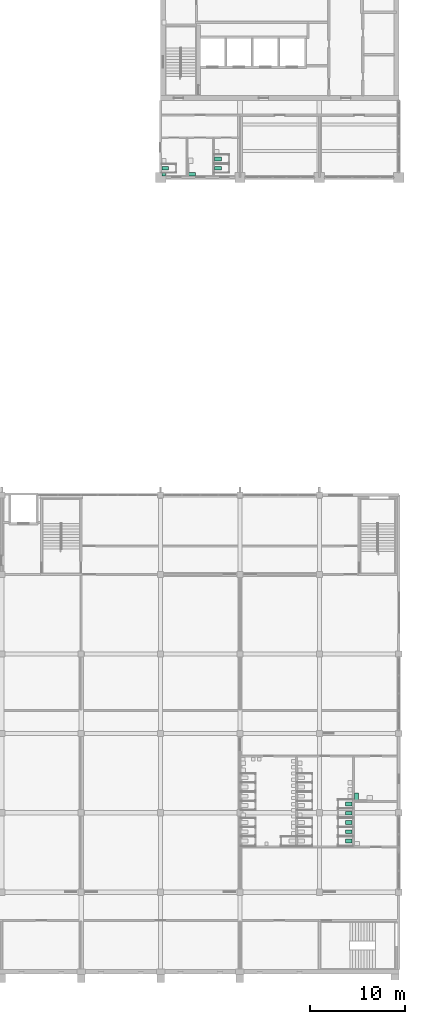
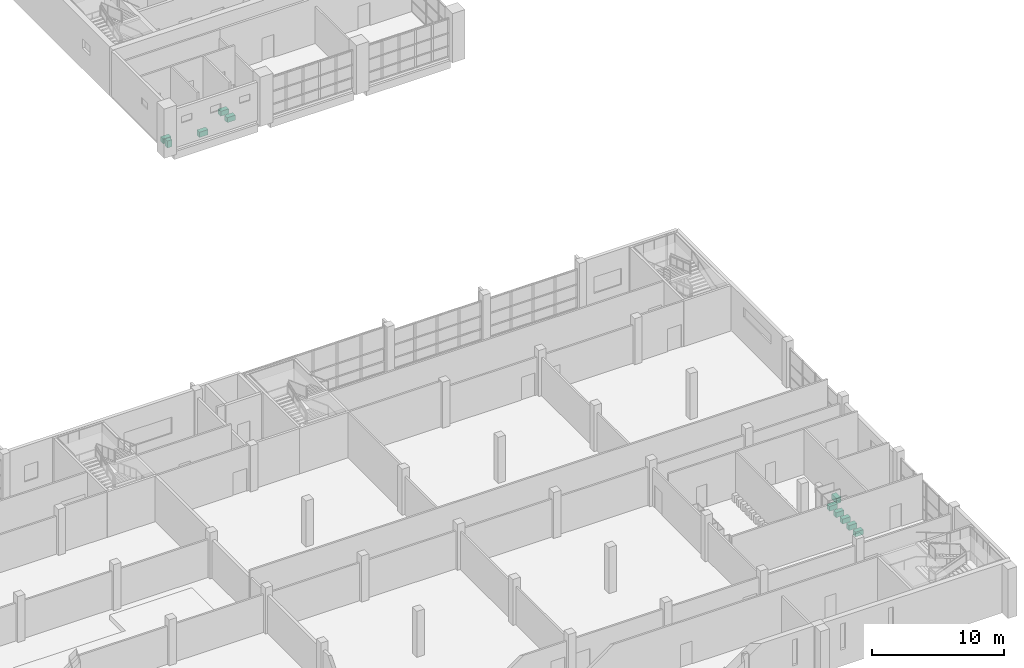
# One storey, part 64 of 64: 11 sanitary terminals.
"""IFC4 building model written with IfcOpenShell, lengths in metres."""

from ifc_helpers import new_model, si_unit, direction, frame, origin, origin_2d, place, context, subcontext, project, spatial, rectangle, extrude, material, type_object, element, save


model = new_model("IFC4")

# Units and contexts
model_context = context("Model", 3, precision=1e-05, world=origin(), true_north=direction((0.0, 1.0)))
body_context = subcontext(model_context, "Body", "Model", "MODEL_VIEW")
ifc_project = project(units=[si_unit("LENGTHUNIT", "METRE"), si_unit("AREAUNIT", "SQUARE_METRE"), si_unit("VOLUMEUNIT", "CUBIC_METRE"), si_unit("PLANEANGLEUNIT", "RADIAN"), si_unit("MASSUNIT", "GRAM", prefix="KILO")], contexts=[model_context])

# Site, building, storey
site_placement = place(None, origin())
site = spatial("IfcSite", under=ifc_project, at=site_placement, CompositionType="ELEMENT")
building_placement = place(site_placement, origin())
building = spatial("IfcBuilding", under=site, at=building_placement, Name="Rulbaag Community and Learning Centre", CompositionType="ELEMENT")
storey_placement = place(building_placement, frame((0.0, 0.0, 5.39990234375)))
storey = spatial("IfcBuildingStorey", under=building, at=storey_placement, Name="L01", CompositionType="ELEMENT", Elevation=5.39990234375)

# Sanitary terminals
ifc_material = material(Name="Vitreous china", Category="ceramic")
sanitary_terminal_type_1 = type_object("IfcSanitaryTerminalType", Name="UR-350", PredefinedType="URINAL", material=ifc_material)
sanitary_terminal_1_placement = place(storey_placement, frame((143.1298828125, 84.304931640625, 0.000244140625), z_axis=(0.0, 0.0, 1.0), x_axis=(1.0, 0.0, 0.0)))
element("IfcSanitaryTerminal", 1, at=sanitary_terminal_1_placement, inside=storey, type_object=sanitary_terminal_type_1, Name="Urinal 151", PredefinedType="URINAL", context=body_context, shape_type="SweptSolid", body=[
    extrude(rectangle(XDim=0.39990234375, YDim=0.35009765625, at=origin_2d()), origin(), (0.0, 0.0, 1.0), 0.64990234375),
])
sanitary_terminal_type_2 = type_object("IfcSanitaryTerminalType", Name="WC-400", PredefinedType="TOILETPAN", material=ifc_material)
for number, where, z_axis, x_axis, name in (
    (2, (162.719970703125, 13.820068359375, 0.0), (0.0, 0.0, 1.0), (1.0, 0.0, 0.0), "WC 70"),
    (3, (162.719970703125, 14.800048828125, 0.0), (0.0, 0.0, 1.0), (1.0, 0.0, 0.0), "WC 71"),
    (4, (162.719970703125, 15.780029296875, 0.0), (0.0, 0.0, 1.0), (1.0, 0.0, 0.0), "WC 72"),
    (5, (162.719970703125, 16.760009765625, 0.0), (0.0, 0.0, 1.0), (1.0, 0.0, 0.0), "WC 73"),
    (6, (162.719970703125, 17.739990234375, 0.0), (0.0, 0.0, 1.0), (1.0, 0.0, 0.0), "WC 74"),
    (7, (143.280029296875, 84.969970703125, 0.0), (0.0, 0.0, 1.0), (1.0, 0.0, 0.0), "WC 122"),
    (8, (148.8798828125, 84.969970703125, 0.0), (0.0, 0.0, 1.0), (1.0, 0.0, 0.0), "WC 123"),
    (9, (148.8798828125, 85.949951171875, 0.0), (0.0, 0.0, 1.0), (1.0, 0.0, 0.0), "WC 124"),
):
    element("IfcSanitaryTerminal", number, at=place(storey_placement, frame(where, z_axis=z_axis, x_axis=x_axis)), inside=storey, type_object=sanitary_terminal_type_2, Name=name, PredefinedType="TOILETPAN", context=body_context, shape_type="SweptSolid", body=[
        extrude(rectangle(XDim=0.699951171875, YDim=0.39990234375, at=origin_2d()), origin(), (0.0, 0.0, 1.0), 0.449951171875),
    ])
sanitary_terminal_type_3 = type_object("IfcSanitaryTerminalType", Name="WC-AC-480", PredefinedType="TOILETPAN", material=ifc_material)
sanitary_terminal_2_placement = place(storey_placement, frame((163.530029296875, 18.5048828125, 0.0), z_axis=(0.0, 0.0, 1.0), x_axis=(1.0, 0.0, 0.0)))
element("IfcSanitaryTerminal", 10, at=sanitary_terminal_2_placement, inside=storey, type_object=sanitary_terminal_type_3, Name="WC 87", PredefinedType="TOILETPAN", context=body_context, shape_type="SweptSolid", body=[
    extrude(rectangle(XDim=0.39990234375, YDim=0.75, at=origin_2d()), origin(), (0.0, 0.0, 1.0), 0.47998046875),
])
sanitary_terminal_3_placement = place(storey_placement, frame((146.10498046875, 84.330078125, 0.0), z_axis=(0.0, 0.0, 1.0), x_axis=(1.0, 0.0, 0.0)))
element("IfcSanitaryTerminal", 11, at=sanitary_terminal_3_placement, inside=storey, type_object=sanitary_terminal_type_3, Name="WC 125", PredefinedType="TOILETPAN", context=body_context, shape_type="SweptSolid", body=[
    extrude(rectangle(XDim=0.75, YDim=0.39990234375, at=origin_2d()), origin(), (0.0, 0.0, 1.0), 0.47998046875),
])

save(model, "model.ifc")
